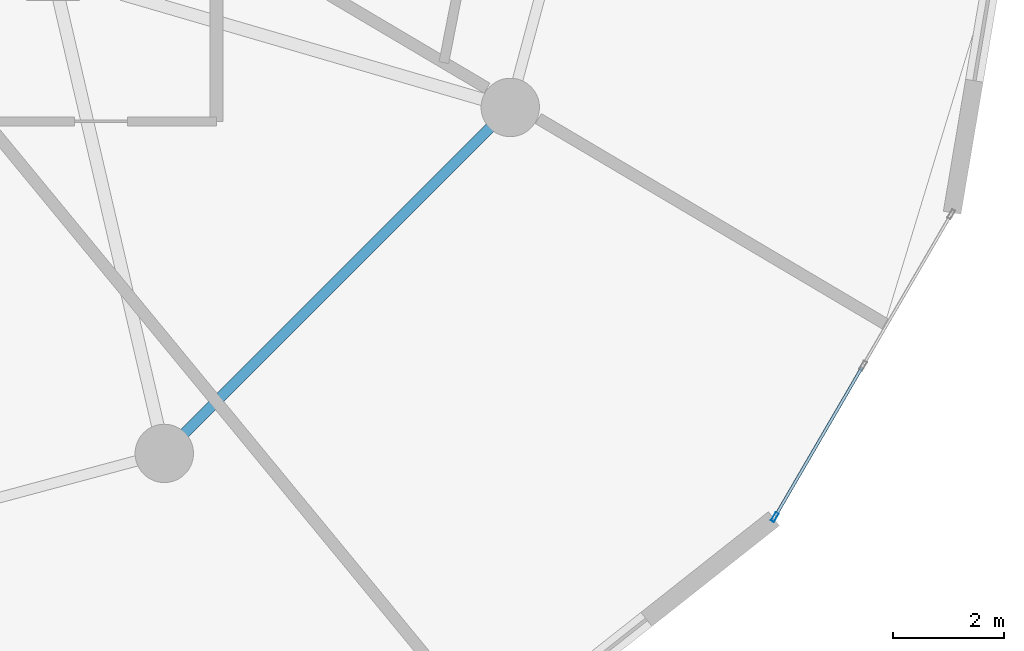
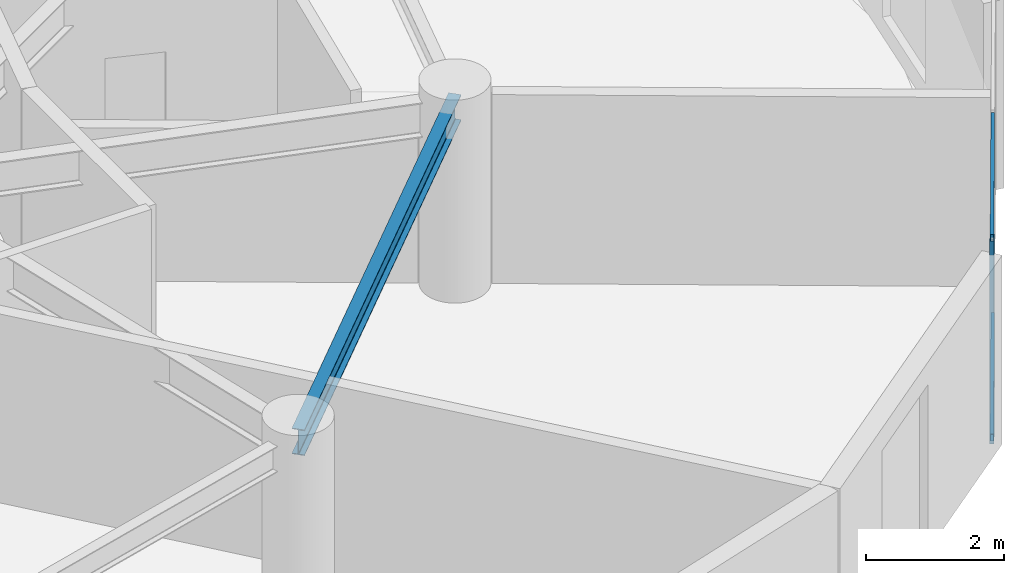
# One storey, part 4 of 20: 3 members, 1 beam, 1 element without a shape of its own.
"""IFC4 building model written with IfcOpenShell, lengths in metres."""

from ifc_helpers import new_model, si_unit, direction, frame, origin, origin_2d, place, context, subcontext, project, spatial, hollow_rectangle, i_section, extrude, source, transform, mapped, material, layer, layer_set, material_profile, profile_set, type_object, element, aggregate, save


model = new_model("IFC4")

# Units and contexts
model_context = context("Model", 3, precision=1e-05, world=origin(), true_north=direction((0.0, 1.0)))
body_context = subcontext(model_context, "Body", "Model", "MODEL_VIEW")
ifc_project = project(units=[si_unit("LENGTHUNIT", "METRE"), si_unit("AREAUNIT", "SQUARE_METRE"), si_unit("VOLUMEUNIT", "CUBIC_METRE"), si_unit("PLANEANGLEUNIT", "RADIAN"), si_unit("MASSUNIT", "GRAM", prefix="KILO")], contexts=[model_context])

# Site, building, storey
site_placement = place(None, origin())
site = spatial("IfcSite", under=ifc_project, at=site_placement, CompositionType="ELEMENT")
building_placement = place(site_placement, origin())
building = spatial("IfcBuilding", under=site, at=building_placement, Name="Solvirekh Grand Hotel", CompositionType="ELEMENT")
storey_placement = place(building_placement, frame((0.0, 0.0, 135.0)))
storey = spatial("IfcBuildingStorey", under=building, at=storey_placement, Name="L34", CompositionType="ELEMENT", Elevation=135.0)

# Beam
ifc_material_1 = material(Name="Steel S355", Category="steel")
ifc_material_profile_1 = material_profile(ifc_material_1, i_section(OverallWidth=0.18994140625, OverallDepth=0.45703125, WebThickness=0.009033203125, FlangeThickness=0.013916015625, FilletRadius=0.012939453125, at=origin_2d()), Name="W460X74")
ifc_profile_set_1 = profile_set([ifc_material_profile_1], Name="Steel S355")
beam_type = type_object("IfcBeamType", Name="Spandrel_Ring_W460", PredefinedType="SPANDREL", material=ifc_profile_set_1)
beam_placement = place(storey_placement, frame((8.5, -14.721923828125, 3.12109375), z_axis=(0.707106781187, 0.707106781187, 0.0), x_axis=(-0.707106781187, 0.707106781187, 0.0)))
element("IfcBeam", 1, at=beam_placement, inside=storey, type_object=beam_type, Name="L34 perimeter spandrel beam 11", PredefinedType="SPANDREL", context=body_context, shape_type="SweptSolid", body=[
    extrude(i_section(OverallWidth=0.18994140625, OverallDepth=0.45703125, WebThickness=0.009033203125, FlangeThickness=0.013916015625, FilletRadius=0.012939453125, at=origin_2d()), origin(), (0.0, 0.0, 1.0), 8.799072265625),
])

# Curtain wall, members
ifc_material_2 = material(Name="Anodized Bronze Aluminium 6063-T6", Category="aluminium")
ifc_layer = layer(ifc_material_2, 0.175048828125)
ifc_layer_set = layer_set([ifc_layer], Name="Anodized Bronze Aluminium 6063-T6")
curtain_wall_type = type_object("IfcCurtainWallType", Name="CW_Sys3_MidZoneFlushBronzeCW", PredefinedType="NOTDEFINED", material=ifc_layer_set)
curtain_wall_placement = place(storey_placement, origin())
curtain_wall = element("IfcCurtainWall", 2, at=curtain_wall_placement, inside=storey, type_object=curtain_wall_type, Name="L34 unitised bronze-glass curtain wall CW-L34-C01", PredefinedType="NOTDEFINED")
ifc_material_profile_2 = material_profile(ifc_material_2, hollow_rectangle(XDim=0.06494140625, YDim=0.175048828125, WallThickness=0.0048828125, at=origin_2d()), Name="ALU RHS 175X65X5")
ifc_profile_set_2 = profile_set([ifc_material_profile_2], Name="Anodized Bronze Aluminium 6063-T6")
member_type_1 = type_object("IfcMemberType", Name="CWMullion_Sys3", PredefinedType="MULLION", material=ifc_profile_set_2)
shared_shape_1 = source(origin(), body_context, "Body", "SweptSolid", [
    extrude(hollow_rectangle(XDim=0.06494140625, YDim=0.175048828125, WallThickness=0.0048828125, at=origin_2d()), origin(), (0.0, 0.0, 1.0), 3.60009765625),
])
member_1_placement = place(storey_placement, frame((19.479248046875, -15.868896484375, 0.0), z_axis=(0.0, 0.0, 1.0), x_axis=(-0.864097597541, 0.503324291014, 0.0)))
member_1 = element("IfcMember", 3, at=member_1_placement, type_object=member_type_1, Name="U03 mullion 1", PredefinedType="MULLION", context=body_context, shape_type="MappedRepresentation", body=[
    mapped(shared_shape_1, transform((0.0, 0.0, 0.0), x_axis=(1.0, 0.0, 0.0), y_axis=(0.0, 1.0, 0.0), z_axis=(0.0, 0.0, 1.0), scale=1.0)),
])
ifc_material_profile_3 = material_profile(ifc_material_2, hollow_rectangle(XDim=0.054931640625, YDim=0.1201171875, WallThickness=0.00390625, at=origin_2d()), Name="ALU RHS 120X55X4")
ifc_profile_set_3 = profile_set([ifc_material_profile_3], Name="Anodized Bronze Aluminium 6063-T6")
member_type_2 = type_object("IfcMemberType", Name="CWTransom_Sys3", PredefinedType="USERDEFINED", material=ifc_profile_set_3)
shared_shape_2 = source(origin(), body_context, "Body", "SweptSolid", [
    extrude(hollow_rectangle(XDim=0.054931640625, YDim=0.1201171875, WallThickness=0.00390625, at=origin_2d()), origin(), (0.0, 0.0, 1.0), 3.08740234375),
])
member_2_placement = place(storey_placement, frame((19.49560546875, -15.8408203125, 0.027587890625), z_axis=(0.503334997198, 0.864091361255, 0.0), x_axis=(-0.864091361255, 0.503334997198, 0.0)))
member_2 = element("IfcMember", 4, at=member_2_placement, type_object=member_type_2, Name="U03 transom 1.1", ObjectType="TRANSOM", PredefinedType="USERDEFINED", context=body_context, shape_type="MappedRepresentation", body=[
    mapped(shared_shape_2, transform((0.0, 0.0, 0.0), x_axis=(1.0, 0.0, 0.0), y_axis=(0.0, 1.0, 0.0), z_axis=(0.0, 0.0, 1.0), scale=1.0)),
])
member_3_placement = place(storey_placement, frame((19.49560546875, -15.8408203125, 3.572509765625), z_axis=(0.503334997198, 0.864091361255, 0.0), x_axis=(-0.864091361255, 0.503334997198, 0.0)))
member_3 = element("IfcMember", 5, at=member_3_placement, type_object=member_type_2, Name="U03 transom 1.2", ObjectType="TRANSOM", PredefinedType="USERDEFINED", context=body_context, shape_type="MappedRepresentation", body=[
    mapped(shared_shape_2, transform((0.0, 0.0, 0.0), x_axis=(1.0, 0.0, 0.0), y_axis=(0.0, 1.0, 0.0), z_axis=(0.0, 0.0, 1.0), scale=1.0)),
])
aggregate(curtain_wall, [member_1, member_2, member_3])

save(model, "model.ifc")
